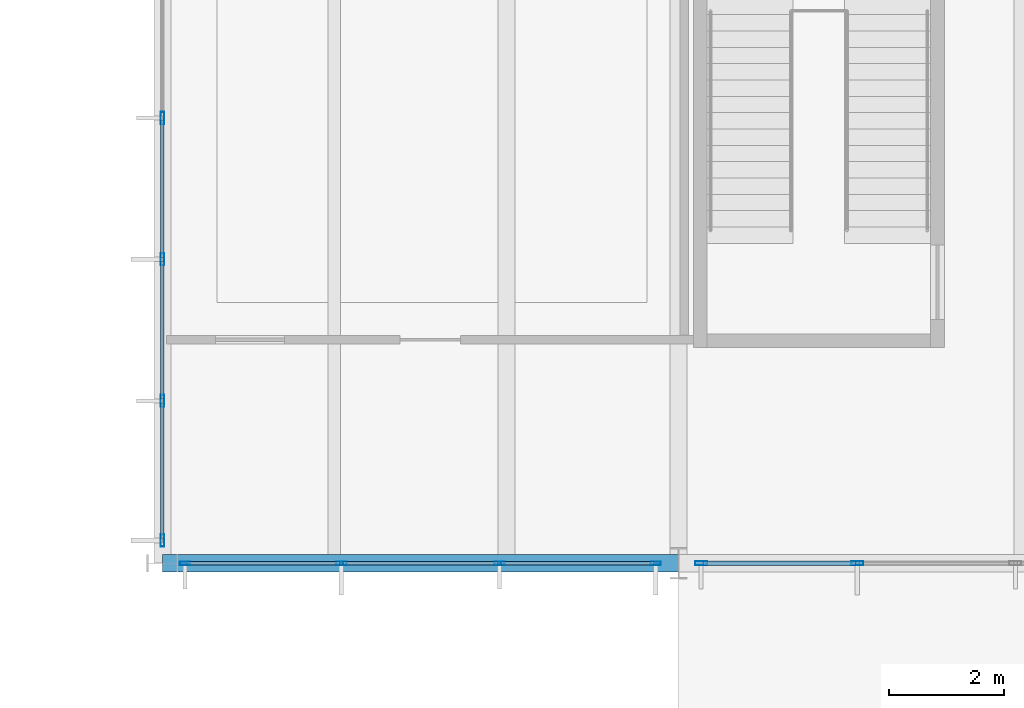
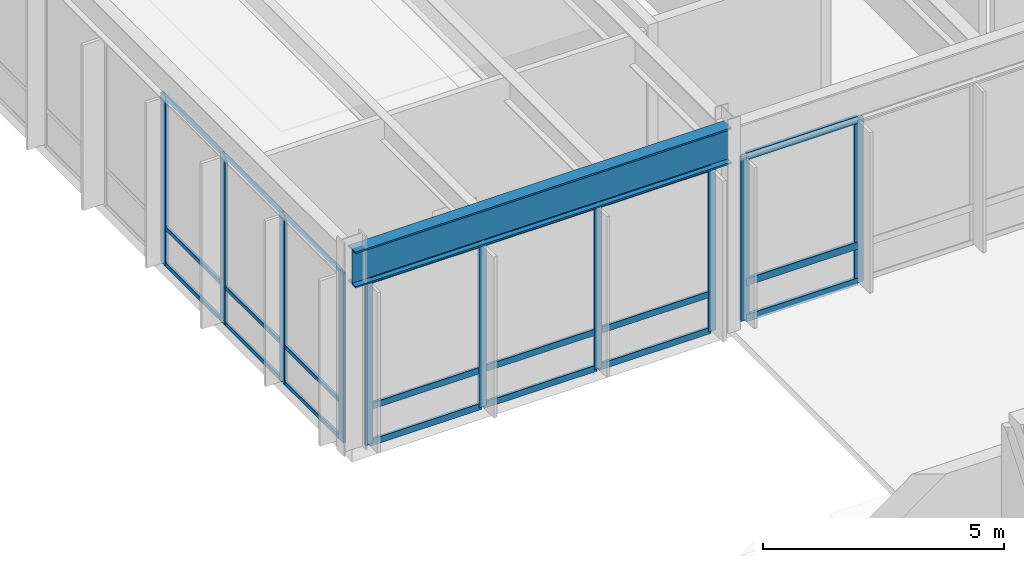
# One storey, part 54 of 143: 31 members, 1 beam, 3 elements without a shape of their own.
"""IFC4 building model written with IfcOpenShell, lengths in metres."""

from ifc_helpers import new_model, si_unit, direction, frame, origin, origin_2d, place, context, subcontext, project, spatial, hollow_rectangle, i_section, extrude, material, layer, layer_set, material_profile, profile_set, type_object, element, aggregate, save


model = new_model("IFC4")

# Units and contexts
model_context = context("Model", 3, precision=1e-05, world=origin(), true_north=direction((0.0, 1.0)))
body_context = subcontext(model_context, "Body", "Model", "MODEL_VIEW")
ifc_project = project(units=[si_unit("LENGTHUNIT", "METRE"), si_unit("AREAUNIT", "SQUARE_METRE"), si_unit("VOLUMEUNIT", "CUBIC_METRE"), si_unit("PLANEANGLEUNIT", "RADIAN"), si_unit("MASSUNIT", "GRAM", prefix="KILO")], contexts=[model_context])

# Site, building, storey
site_placement = place(None, origin())
site = spatial("IfcSite", under=ifc_project, at=site_placement, CompositionType="ELEMENT")
building_placement = place(site_placement, origin())
building = spatial("IfcBuilding", under=site, at=building_placement, Name="Montelvaro Courts of Justice", CompositionType="ELEMENT")
storey_placement = place(building_placement, origin())
storey = spatial("IfcBuildingStorey", under=building, at=storey_placement, Name="L00", CompositionType="ELEMENT", Elevation=0.0)

# Beam
ifc_material_1 = material(Name="Steel S355", Category="steel")
ifc_material_profile_1 = material_profile(ifc_material_1, i_section(OverallWidth=0.302001953125, OverallDepth=0.909912109375, WebThickness=0.02099609375, FlangeThickness=0.0400390625, at=origin_2d()), Name="HEM 900")
ifc_profile_set_1 = profile_set([ifc_material_profile_1], Name="Steel S355")
beam_type = type_object("IfcBeamType", Name="Beam_HEM900", PredefinedType="USERDEFINED", material=ifc_profile_set_1)
beam_placement = place(storey_placement, frame((18.0, 78.0, 4.625), z_axis=(1.0, 0.0, 0.0), x_axis=(0.0, 1.0, 0.0)))
element("IfcBeam", 1, at=beam_placement, inside=storey, type_object=beam_type, Name="Beam B-31 L00", ObjectType="GIRDER", PredefinedType="USERDEFINED", context=body_context, shape_type="SweptSolid", body=[
    extrude(i_section(OverallWidth=0.302001953125, OverallDepth=0.909912109375, WebThickness=0.02099609375, FlangeThickness=0.0400390625, at=origin_2d()), origin(), (0.0, 0.0, 1.0), 9.0),
])

# Curtain wall, members
ifc_material_2 = material(Name="Anodised aluminium EN AW-6063", Category="aluminium")
ifc_layer_1 = layer(ifc_material_2, 0.159912109375)
ifc_layer_set_1 = layer_set([ifc_layer_1], Name="Anodised aluminium EN AW-6063")
curtain_wall_type_1 = type_object("IfcCurtainWallType", Name="CurtainWall_01_827x508", PredefinedType="USERDEFINED", material=ifc_layer_set_1)
curtain_wall_1_placement = place(storey_placement, origin())
curtain_wall_1 = element("IfcCurtainWall", 2, at=curtain_wall_1_placement, inside=storey, type_object=curtain_wall_type_1, Name="Curtain Wall CW-01 (L00)", ObjectType="CURTAIN WALL", PredefinedType="USERDEFINED")
ifc_material_profile_2 = material_profile(ifc_material_2, hollow_rectangle(XDim=0.06005859375, YDim=0.179931640625, WallThickness=0.00439453125, at=origin_2d()), Name="ALU-M 60x180")
ifc_profile_set_2 = profile_set([ifc_material_profile_2], Name="Anodised aluminium EN AW-6063")
member_type_1 = type_object("IfcMemberType", Name="CurtainWall_Mullion_60x180", PredefinedType="MULLION", material=ifc_profile_set_2)
member_1_placement = place(storey_placement, frame((18.39501953125, 78.0, 0.0), z_axis=(0.0, 0.0, 1.0), x_axis=(0.0, 1.0, 0.0)))
member_1 = element("IfcMember", 3, at=member_1_placement, type_object=member_type_1, Name="CW-01 mullion 1", PredefinedType="MULLION", context=body_context, shape_type="SweptSolid", body=[
    extrude(hollow_rectangle(XDim=0.06005859375, YDim=0.179931640625, WallThickness=0.00439453125, at=origin_2d()), origin(), (0.0, 0.0, 1.0), 4.1650390625),
])
member_2_placement = place(storey_placement, frame((21.12158203125, 78.0, 0.0), z_axis=(0.0, 0.0, 1.0), x_axis=(0.0, 1.0, 0.0)))
member_2 = element("IfcMember", 4, at=member_2_placement, type_object=member_type_1, Name="CW-01 mullion 2", PredefinedType="MULLION", context=body_context, shape_type="SweptSolid", body=[
    extrude(hollow_rectangle(XDim=0.06005859375, YDim=0.179931640625, WallThickness=0.00439453125, at=origin_2d()), origin(), (0.0, 0.0, 1.0), 4.1650390625),
])
member_3_placement = place(storey_placement, frame((23.87841796875, 78.0, 0.0), z_axis=(0.0, 0.0, 1.0), x_axis=(0.0, 1.0, 0.0)))
member_3 = element("IfcMember", 5, at=member_3_placement, type_object=member_type_1, Name="CW-01 mullion 3", PredefinedType="MULLION", context=body_context, shape_type="SweptSolid", body=[
    extrude(hollow_rectangle(XDim=0.06005859375, YDim=0.179931640625, WallThickness=0.00439453125, at=origin_2d()), origin(), (0.0, 0.0, 1.0), 4.1650390625),
])
member_4_placement = place(storey_placement, frame((26.60498046875, 78.0, 0.0), z_axis=(0.0, 0.0, 1.0), x_axis=(0.0, 1.0, 0.0)))
member_4 = element("IfcMember", 6, at=member_4_placement, type_object=member_type_1, Name="CW-01 mullion 4", PredefinedType="MULLION", context=body_context, shape_type="SweptSolid", body=[
    extrude(hollow_rectangle(XDim=0.06005859375, YDim=0.179931640625, WallThickness=0.00439453125, at=origin_2d()), origin(), (0.0, 0.0, 1.0), 4.1650390625),
])

curtain_wall_2_placement = place(storey_placement, origin())
curtain_wall_2 = element("IfcCurtainWall", 7, at=curtain_wall_2_placement, inside=storey, type_object=curtain_wall_type_1, Name="Curtain Wall CW-01 (L00)", ObjectType="CURTAIN WALL", PredefinedType="USERDEFINED")
ifc_material_profile_3 = material_profile(ifc_material_2, hollow_rectangle(XDim=0.06494140625, YDim=0.2099609375, WallThickness=0.0048828125, at=origin_2d()), Name="ALU-M 65x210")
ifc_profile_set_3 = profile_set([ifc_material_profile_3], Name="Anodised aluminium EN AW-6063")
member_type_2 = type_object("IfcMemberType", Name="CurtainWall_Mullion_65x210", PredefinedType="MULLION", material=ifc_profile_set_3)
member_5_placement = place(storey_placement, frame((27.3974609375, 78.0, 0.0), z_axis=(0.0, 0.0, 1.0), x_axis=(0.0, 1.0, 0.0)))
member_5 = element("IfcMember", 8, at=member_5_placement, type_object=member_type_2, Name="CW-01 mullion 1", PredefinedType="MULLION", context=body_context, shape_type="SweptSolid", body=[
    extrude(hollow_rectangle(XDim=0.06494140625, YDim=0.2099609375, WallThickness=0.0048828125, at=origin_2d()), origin(), (0.0, 0.0, 1.0), 4.1650390625),
])
member_6_placement = place(storey_placement, frame((30.12158203125, 78.0, 0.0), z_axis=(0.0, 0.0, 1.0), x_axis=(0.0, 1.0, 0.0)))
member_6 = element("IfcMember", 9, at=member_6_placement, type_object=member_type_2, Name="CW-01 mullion 2", PredefinedType="MULLION", context=body_context, shape_type="SweptSolid", body=[
    extrude(hollow_rectangle(XDim=0.06494140625, YDim=0.2099609375, WallThickness=0.0048828125, at=origin_2d()), origin(), (0.0, 0.0, 1.0), 4.1650390625),
])

ifc_layer_2 = layer(ifc_material_2, 0.159912109375)
ifc_layer_set_2 = layer_set([ifc_layer_2], Name="Anodised aluminium EN AW-6063")
curtain_wall_type_2 = type_object("IfcCurtainWallType", Name="CurtainWall_02_1727x508", PredefinedType="USERDEFINED", material=ifc_layer_set_2)
curtain_wall_3_placement = place(storey_placement, origin())
curtain_wall_3 = element("IfcCurtainWall", 10, at=curtain_wall_3_placement, inside=storey, type_object=curtain_wall_type_2, Name="Curtain Wall CW-02 (L00)", ObjectType="CURTAIN WALL", PredefinedType="USERDEFINED")
member_7_placement = place(storey_placement, frame((18.0, 85.766357421875, 0.0), z_axis=(0.0, 0.0, 1.0), x_axis=(1.0, 0.0, 0.0)))
member_7 = element("IfcMember", 11, at=member_7_placement, type_object=member_type_2, Name="CW-02 mullion 5", PredefinedType="MULLION", context=body_context, shape_type="SweptSolid", body=[
    extrude(hollow_rectangle(XDim=0.06494140625, YDim=0.2099609375, WallThickness=0.0048828125, at=origin_2d()), origin(), (0.0, 0.0, 1.0), 4.284912109375),
])
member_8_placement = place(storey_placement, frame((18.0, 83.29931640625, 0.0), z_axis=(0.0, 0.0, 1.0), x_axis=(1.0, 0.0, 0.0)))
member_8 = element("IfcMember", 12, at=member_8_placement, type_object=member_type_2, Name="CW-02 mullion 6", PredefinedType="MULLION", context=body_context, shape_type="SweptSolid", body=[
    extrude(hollow_rectangle(XDim=0.06494140625, YDim=0.2099609375, WallThickness=0.0048828125, at=origin_2d()), origin(), (0.0, 0.0, 1.0), 4.284912109375),
])
member_9_placement = place(storey_placement, frame((18.0, 80.83203125, 0.0), z_axis=(0.0, 0.0, 1.0), x_axis=(1.0, 0.0, 0.0)))
member_9 = element("IfcMember", 13, at=member_9_placement, type_object=member_type_2, Name="CW-02 mullion 7", PredefinedType="MULLION", context=body_context, shape_type="SweptSolid", body=[
    extrude(hollow_rectangle(XDim=0.06494140625, YDim=0.2099609375, WallThickness=0.0048828125, at=origin_2d()), origin(), (0.0, 0.0, 1.0), 4.284912109375),
])
member_10_placement = place(storey_placement, frame((18.0, 78.3974609375, 0.0), z_axis=(0.0, 0.0, 1.0), x_axis=(1.0, 0.0, 0.0)))
member_10 = element("IfcMember", 14, at=member_10_placement, type_object=member_type_2, Name="CW-02 mullion 8", PredefinedType="MULLION", context=body_context, shape_type="SweptSolid", body=[
    extrude(hollow_rectangle(XDim=0.06494140625, YDim=0.2099609375, WallThickness=0.0048828125, at=origin_2d()), origin(), (0.0, 0.0, 1.0), 4.284912109375),
])
ifc_material_profile_4 = material_profile(ifc_material_2, hollow_rectangle(XDim=0.06005859375, YDim=0.10009765625, WallThickness=0.00341796875, at=origin_2d()), Name="ALU-T 60x100")
ifc_profile_set_4 = profile_set([ifc_material_profile_4], Name="Anodised aluminium EN AW-6063")
member_type_3 = type_object("IfcMemberType", Name="CurtainWall_Transom_60x100", PredefinedType="USERDEFINED", material=ifc_profile_set_4)
member_11_placement = place(storey_placement, frame((18.0, 85.73388671875, 0.030029296875), z_axis=(0.0, -1.0, 0.0), x_axis=(1.0, 0.0, 0.0)))
member_11 = element("IfcMember", 15, at=member_11_placement, type_object=member_type_3, Name="CW-02 transom 5.1", ObjectType="TRANSOM", PredefinedType="USERDEFINED", context=body_context, shape_type="SweptSolid", body=[
    extrude(hollow_rectangle(XDim=0.06005859375, YDim=0.10009765625, WallThickness=0.00341796875, at=origin_2d()), origin(), (0.0, 0.0, 1.0), 2.402099609375),
])
member_12_placement = place(storey_placement, frame((18.0, 85.73388671875, 0.949951171875), z_axis=(0.0, -1.0, 0.0), x_axis=(1.0, 0.0, 0.0)))
member_12 = element("IfcMember", 16, at=member_12_placement, type_object=member_type_3, Name="CW-02 transom 5.2", ObjectType="TRANSOM", PredefinedType="USERDEFINED", context=body_context, shape_type="SweptSolid", body=[
    extrude(hollow_rectangle(XDim=0.06005859375, YDim=0.10009765625, WallThickness=0.00341796875, at=origin_2d()), origin(), (0.0, 0.0, 1.0), 2.402099609375),
])
member_13_placement = place(storey_placement, frame((18.0, 85.73388671875, 4.2548828125), z_axis=(0.0, -1.0, 0.0), x_axis=(1.0, 0.0, 0.0)))
member_13 = element("IfcMember", 17, at=member_13_placement, type_object=member_type_3, Name="CW-02 transom 5.3", ObjectType="TRANSOM", PredefinedType="USERDEFINED", context=body_context, shape_type="SweptSolid", body=[
    extrude(hollow_rectangle(XDim=0.06005859375, YDim=0.10009765625, WallThickness=0.00341796875, at=origin_2d()), origin(), (0.0, 0.0, 1.0), 2.402099609375),
])
member_14_placement = place(storey_placement, frame((18.0, 83.266845703125, 0.030029296875), z_axis=(0.0, -1.0, 0.0), x_axis=(1.0, 0.0, 0.0)))
member_14 = element("IfcMember", 18, at=member_14_placement, type_object=member_type_3, Name="CW-02 transom 6.1", ObjectType="TRANSOM", PredefinedType="USERDEFINED", context=body_context, shape_type="SweptSolid", body=[
    extrude(hollow_rectangle(XDim=0.06005859375, YDim=0.10009765625, WallThickness=0.00341796875, at=origin_2d()), origin(), (0.0, 0.0, 1.0), 2.402099609375),
])
member_15_placement = place(storey_placement, frame((18.0, 83.266845703125, 0.949951171875), z_axis=(0.0, -1.0, 0.0), x_axis=(1.0, 0.0, 0.0)))
member_15 = element("IfcMember", 19, at=member_15_placement, type_object=member_type_3, Name="CW-02 transom 6.2", ObjectType="TRANSOM", PredefinedType="USERDEFINED", context=body_context, shape_type="SweptSolid", body=[
    extrude(hollow_rectangle(XDim=0.06005859375, YDim=0.10009765625, WallThickness=0.00341796875, at=origin_2d()), origin(), (0.0, 0.0, 1.0), 2.402099609375),
])
member_16_placement = place(storey_placement, frame((18.0, 83.266845703125, 4.2548828125), z_axis=(0.0, -1.0, 0.0), x_axis=(1.0, 0.0, 0.0)))
member_16 = element("IfcMember", 20, at=member_16_placement, type_object=member_type_3, Name="CW-02 transom 6.3", ObjectType="TRANSOM", PredefinedType="USERDEFINED", context=body_context, shape_type="SweptSolid", body=[
    extrude(hollow_rectangle(XDim=0.06005859375, YDim=0.10009765625, WallThickness=0.00341796875, at=origin_2d()), origin(), (0.0, 0.0, 1.0), 2.402099609375),
])
member_17_placement = place(storey_placement, frame((18.0, 80.799560546875, 0.030029296875), z_axis=(0.0, -1.0, 0.0), x_axis=(1.0, 0.0, 0.0)))
member_17 = element("IfcMember", 21, at=member_17_placement, type_object=member_type_3, Name="CW-02 transom 7.1", ObjectType="TRANSOM", PredefinedType="USERDEFINED", context=body_context, shape_type="SweptSolid", body=[
    extrude(hollow_rectangle(XDim=0.06005859375, YDim=0.10009765625, WallThickness=0.00341796875, at=origin_2d()), origin(), (0.0, 0.0, 1.0), 2.36962890625),
])
member_18_placement = place(storey_placement, frame((18.0, 80.799560546875, 0.949951171875), z_axis=(0.0, -1.0, 0.0), x_axis=(1.0, 0.0, 0.0)))
member_18 = element("IfcMember", 22, at=member_18_placement, type_object=member_type_3, Name="CW-02 transom 7.2", ObjectType="TRANSOM", PredefinedType="USERDEFINED", context=body_context, shape_type="SweptSolid", body=[
    extrude(hollow_rectangle(XDim=0.06005859375, YDim=0.10009765625, WallThickness=0.00341796875, at=origin_2d()), origin(), (0.0, 0.0, 1.0), 2.36962890625),
])
member_19_placement = place(storey_placement, frame((18.0, 80.799560546875, 4.2548828125), z_axis=(0.0, -1.0, 0.0), x_axis=(1.0, 0.0, 0.0)))
member_19 = element("IfcMember", 23, at=member_19_placement, type_object=member_type_3, Name="CW-02 transom 7.3", ObjectType="TRANSOM", PredefinedType="USERDEFINED", context=body_context, shape_type="SweptSolid", body=[
    extrude(hollow_rectangle(XDim=0.06005859375, YDim=0.10009765625, WallThickness=0.00341796875, at=origin_2d()), origin(), (0.0, 0.0, 1.0), 2.36962890625),
])
aggregate(curtain_wall_3, [member_7, member_8, member_9, member_10, member_11, member_12, member_13, member_14, member_15, member_16, member_17, member_18, member_19])

# Member
ifc_material_profile_5 = material_profile(ifc_material_2, hollow_rectangle(XDim=0.06005859375, YDim=0.159912109375, WallThickness=0.00439453125, at=origin_2d()), Name="ALU-T 60x160")
ifc_profile_set_5 = profile_set([ifc_material_profile_5], Name="Anodised aluminium EN AW-6063")
member_type_4 = type_object("IfcMemberType", Name="CurtainWall_Transom_60x160", PredefinedType="USERDEFINED", material=ifc_profile_set_5)
member_20_placement = place(storey_placement, frame((18.425048828125, 78.0, 0.030029296875), z_axis=(1.0, 0.0, 0.0), x_axis=(0.0, 1.0, 0.0)))
member_20 = element("IfcMember", 24, at=member_20_placement, type_object=member_type_4, Name="CW-01 transom 1.1", ObjectType="TRANSOM", PredefinedType="USERDEFINED", context=body_context, shape_type="SweptSolid", body=[
    extrude(hollow_rectangle(XDim=0.06005859375, YDim=0.159912109375, WallThickness=0.00439453125, at=origin_2d()), origin(), (0.0, 0.0, 1.0), 2.66650390625),
])

member_21_placement = place(storey_placement, frame((18.425048828125, 78.0, 0.949951171875), z_axis=(1.0, 0.0, 0.0), x_axis=(0.0, 1.0, 0.0)))
member_21 = element("IfcMember", 25, at=member_21_placement, type_object=member_type_4, Name="CW-01 transom 1.2", ObjectType="TRANSOM", PredefinedType="USERDEFINED", context=body_context, shape_type="SweptSolid", body=[
    extrude(hollow_rectangle(XDim=0.06005859375, YDim=0.159912109375, WallThickness=0.00439453125, at=origin_2d()), origin(), (0.0, 0.0, 1.0), 2.66650390625),
])

member_22_placement = place(storey_placement, frame((18.425048828125, 78.0, 4.135009765625), z_axis=(1.0, 0.0, 0.0), x_axis=(0.0, 1.0, 0.0)))
member_22 = element("IfcMember", 26, at=member_22_placement, type_object=member_type_4, Name="CW-01 transom 1.3", ObjectType="TRANSOM", PredefinedType="USERDEFINED", context=body_context, shape_type="SweptSolid", body=[
    extrude(hollow_rectangle(XDim=0.06005859375, YDim=0.159912109375, WallThickness=0.00439453125, at=origin_2d()), origin(), (0.0, 0.0, 1.0), 2.66650390625),
])

member_23_placement = place(storey_placement, frame((21.151611328125, 78.0, 0.030029296875), z_axis=(1.0, 0.0, 0.0), x_axis=(0.0, 1.0, 0.0)))
member_23 = element("IfcMember", 27, at=member_23_placement, type_object=member_type_4, Name="CW-01 transom 2.1", ObjectType="TRANSOM", PredefinedType="USERDEFINED", context=body_context, shape_type="SweptSolid", body=[
    extrude(hollow_rectangle(XDim=0.06005859375, YDim=0.159912109375, WallThickness=0.00439453125, at=origin_2d()), origin(), (0.0, 0.0, 1.0), 2.69677734375),
])

member_24_placement = place(storey_placement, frame((21.151611328125, 78.0, 0.949951171875), z_axis=(1.0, 0.0, 0.0), x_axis=(0.0, 1.0, 0.0)))
member_24 = element("IfcMember", 28, at=member_24_placement, type_object=member_type_4, Name="CW-01 transom 2.2", ObjectType="TRANSOM", PredefinedType="USERDEFINED", context=body_context, shape_type="SweptSolid", body=[
    extrude(hollow_rectangle(XDim=0.06005859375, YDim=0.159912109375, WallThickness=0.00439453125, at=origin_2d()), origin(), (0.0, 0.0, 1.0), 2.69677734375),
])

member_25_placement = place(storey_placement, frame((21.151611328125, 78.0, 4.135009765625), z_axis=(1.0, 0.0, 0.0), x_axis=(0.0, 1.0, 0.0)))
member_25 = element("IfcMember", 29, at=member_25_placement, type_object=member_type_4, Name="CW-01 transom 2.3", ObjectType="TRANSOM", PredefinedType="USERDEFINED", context=body_context, shape_type="SweptSolid", body=[
    extrude(hollow_rectangle(XDim=0.06005859375, YDim=0.159912109375, WallThickness=0.00439453125, at=origin_2d()), origin(), (0.0, 0.0, 1.0), 2.69677734375),
])

member_26_placement = place(storey_placement, frame((23.908447265625, 78.0, 0.030029296875), z_axis=(1.0, 0.0, 0.0), x_axis=(0.0, 1.0, 0.0)))
member_26 = element("IfcMember", 30, at=member_26_placement, type_object=member_type_4, Name="CW-01 transom 3.1", ObjectType="TRANSOM", PredefinedType="USERDEFINED", context=body_context, shape_type="SweptSolid", body=[
    extrude(hollow_rectangle(XDim=0.06005859375, YDim=0.159912109375, WallThickness=0.00439453125, at=origin_2d()), origin(), (0.0, 0.0, 1.0), 2.66650390625),
])

member_27_placement = place(storey_placement, frame((23.908447265625, 78.0, 0.949951171875), z_axis=(1.0, 0.0, 0.0), x_axis=(0.0, 1.0, 0.0)))
member_27 = element("IfcMember", 31, at=member_27_placement, type_object=member_type_4, Name="CW-01 transom 3.2", ObjectType="TRANSOM", PredefinedType="USERDEFINED", context=body_context, shape_type="SweptSolid", body=[
    extrude(hollow_rectangle(XDim=0.06005859375, YDim=0.159912109375, WallThickness=0.00439453125, at=origin_2d()), origin(), (0.0, 0.0, 1.0), 2.66650390625),
])

member_28_placement = place(storey_placement, frame((23.908447265625, 78.0, 4.135009765625), z_axis=(1.0, 0.0, 0.0), x_axis=(0.0, 1.0, 0.0)))
member_28 = element("IfcMember", 32, at=member_28_placement, type_object=member_type_4, Name="CW-01 transom 3.3", ObjectType="TRANSOM", PredefinedType="USERDEFINED", context=body_context, shape_type="SweptSolid", body=[
    extrude(hollow_rectangle(XDim=0.06005859375, YDim=0.159912109375, WallThickness=0.00439453125, at=origin_2d()), origin(), (0.0, 0.0, 1.0), 2.66650390625),
])

aggregate(curtain_wall_1, [member_1, member_2, member_3, member_4, member_20, member_21, member_22, member_23, member_24, member_25, member_26, member_27, member_28])

ifc_material_profile_6 = material_profile(ifc_material_2, hollow_rectangle(XDim=0.074951171875, YDim=0.179931640625, WallThickness=0.0048828125, at=origin_2d()), Name="ALU-T 75x180")
ifc_profile_set_6 = profile_set([ifc_material_profile_6], Name="Anodised aluminium EN AW-6063")
member_type_5 = type_object("IfcMemberType", Name="CurtainWall_Transom_75x180", PredefinedType="USERDEFINED", material=ifc_profile_set_6)
member_29_placement = place(storey_placement, frame((27.429931640625, 78.0, 0.03759765625), z_axis=(1.0, 0.0, 0.0), x_axis=(0.0, 1.0, 0.0)))
member_29 = element("IfcMember", 33, at=member_29_placement, type_object=member_type_5, Name="CW-01 transom 1.1", ObjectType="TRANSOM", PredefinedType="USERDEFINED", context=body_context, shape_type="SweptSolid", body=[
    extrude(hollow_rectangle(XDim=0.074951171875, YDim=0.179931640625, WallThickness=0.0048828125, at=origin_2d()), origin(), (0.0, 0.0, 1.0), 2.6591796875),
])

member_30_placement = place(storey_placement, frame((27.429931640625, 78.0, 0.949951171875), z_axis=(1.0, 0.0, 0.0), x_axis=(0.0, 1.0, 0.0)))
member_30 = element("IfcMember", 34, at=member_30_placement, type_object=member_type_5, Name="CW-01 transom 1.2", ObjectType="TRANSOM", PredefinedType="USERDEFINED", context=body_context, shape_type="SweptSolid", body=[
    extrude(hollow_rectangle(XDim=0.074951171875, YDim=0.179931640625, WallThickness=0.0048828125, at=origin_2d()), origin(), (0.0, 0.0, 1.0), 2.6591796875),
])

member_31_placement = place(storey_placement, frame((27.429931640625, 78.0, 4.12744140625), z_axis=(1.0, 0.0, 0.0), x_axis=(0.0, 1.0, 0.0)))
member_31 = element("IfcMember", 35, at=member_31_placement, type_object=member_type_5, Name="CW-01 transom 1.3", ObjectType="TRANSOM", PredefinedType="USERDEFINED", context=body_context, shape_type="SweptSolid", body=[
    extrude(hollow_rectangle(XDim=0.074951171875, YDim=0.179931640625, WallThickness=0.0048828125, at=origin_2d()), origin(), (0.0, 0.0, 1.0), 2.6591796875),
])

aggregate(curtain_wall_2, [member_5, member_6, member_29, member_30, member_31])

save(model, "model.ifc")
